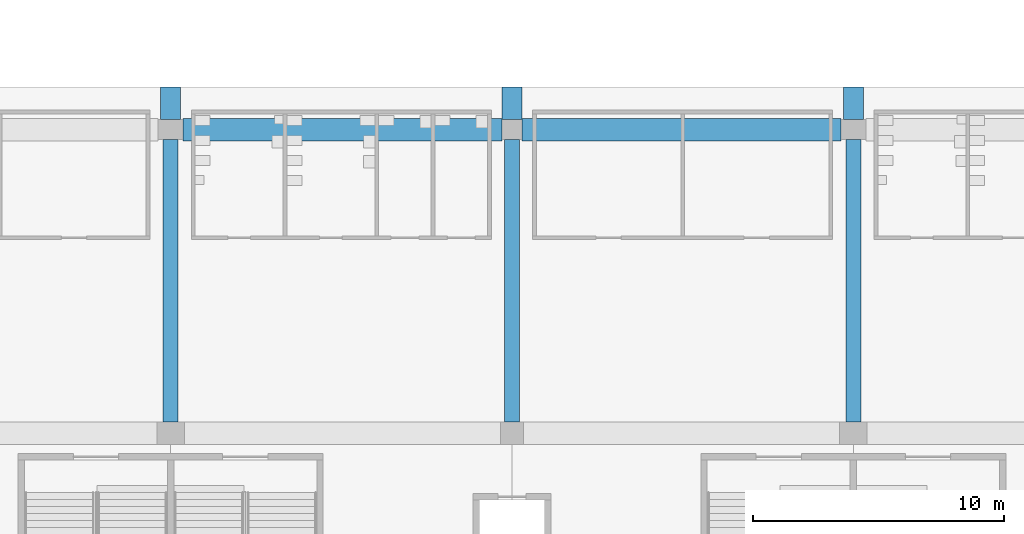
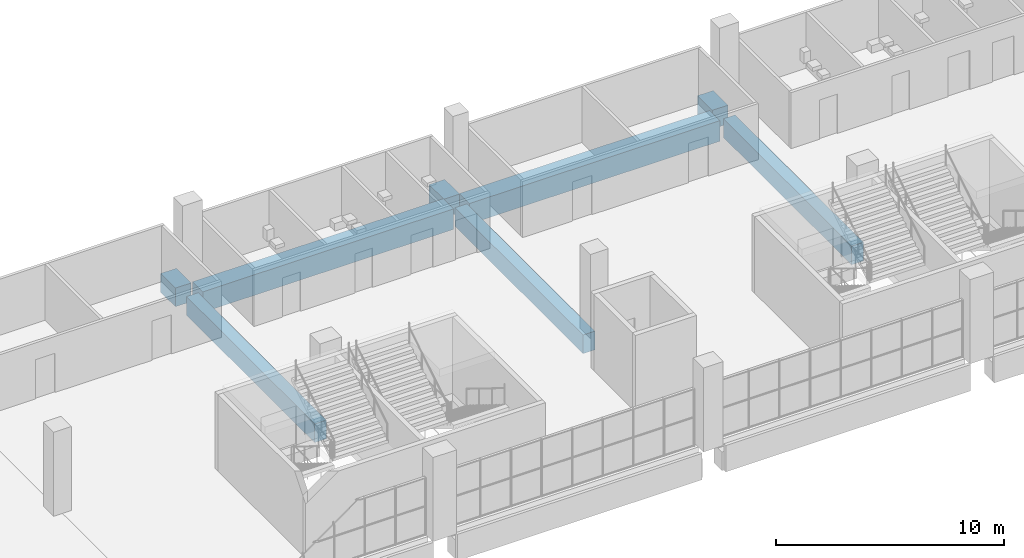
# One storey, part 13 of 199: 8 beams.
"""IFC4 building model written with IfcOpenShell, lengths in metres."""

from ifc_helpers import new_model, si_unit, direction, frame, origin, origin_2d, place, context, subcontext, project, spatial, rectangle, extrude, material, material_profile, profile_set, type_object, element, save


model = new_model("IFC4")

# Units and contexts
model_context = context("Model", 3, precision=1e-05, world=origin(), true_north=direction((0.0, 1.0)))
body_context = subcontext(model_context, "Body", "Model", "MODEL_VIEW")
ifc_project = project(units=[si_unit("LENGTHUNIT", "METRE"), si_unit("AREAUNIT", "SQUARE_METRE"), si_unit("VOLUMEUNIT", "CUBIC_METRE"), si_unit("PLANEANGLEUNIT", "RADIAN"), si_unit("MASSUNIT", "GRAM", prefix="KILO")], contexts=[model_context])

# Site, building, storey
site_placement = place(None, origin())
site = spatial("IfcSite", under=ifc_project, at=site_placement, CompositionType="ELEMENT")
building_placement = place(site_placement, origin())
building = spatial("IfcBuilding", under=site, at=building_placement, Name="Ogive Plaza Stadium", CompositionType="ELEMENT")
storey_placement = place(building_placement, frame((0.0, 0.0, 4.5)))
storey = spatial("IfcBuildingStorey", under=building, at=storey_placement, Name="L01", CompositionType="ELEMENT", Elevation=4.5)

# Beams
ifc_material_1 = material(Name="Concrete C40/50", Category="concrete")
ifc_material_profile_1 = material_profile(ifc_material_1, rectangle(XDim=0.60009765625, YDim=1.0, at=origin_2d()), Name="RC 600x1000")
ifc_profile_set_1 = profile_set([ifc_material_profile_1], Name="Concrete C40/50")
beam_type_1 = type_object("IfcBeamType", Name="RC radial beam 600x1000", PredefinedType="BEAM", material=ifc_profile_set_1)
for number, where, z_axis, x_axis, name in (
    (1, (6.800048828125, -80.800048828125, -0.909912109375), (0.0, -1.0, 0.0), (1.0, 0.0, 0.0), "Radial beam L01 R14 F3F4"),
    (2, (-6.800048828125, -80.800048828125, -0.909912109375), (0.0, -1.0, 0.0), (1.0, 0.0, 0.0), "Radial beam L01 R15 F3F4"),
    (3, (-20.39990234375, -80.800048828125, -0.909912109375), (0.0, -1.0, 0.0), (1.0, 0.0, 0.0), "Radial beam L01 R16 F3F4"),
):
    element("IfcBeam", number, at=place(storey_placement, frame(where, z_axis=z_axis, x_axis=x_axis)), inside=storey, type_object=beam_type_1, Name=name, PredefinedType="BEAM", context=body_context, shape_type="SweptSolid", body=[
        extrude(rectangle(XDim=0.60009765625, YDim=1.0, at=origin_2d()), origin(), (0.0, 0.0, 1.0), 11.25),
    ])
ifc_material_2 = material(Name="Concrete C40/50", Category="concrete")
ifc_material_profile_2 = material_profile(ifc_material_2, rectangle(XDim=0.800048828125, YDim=1.0, at=origin_2d()), Name="RC 800x1000")
ifc_profile_set_2 = profile_set([ifc_material_profile_2], Name="Concrete C40/50")
beam_type_2 = type_object("IfcBeamType", Name="RC radial beam 800x1000", PredefinedType="BEAM", material=ifc_profile_set_2)
for number, where, z_axis, x_axis, name in (
    (4, (6.800048828125, -78.699951171875, -0.909912109375), (0.0, -1.0, 0.0), (1.0, 0.0, 0.0), "Raker tail beam LT R14"),
    (5, (-6.800048828125, -78.699951171875, -0.909912109375), (0.0, -1.0, 0.0), (1.0, 0.0, 0.0), "Raker tail beam LT R15"),
    (6, (-20.39990234375, -78.699951171875, -0.909912109375), (0.0, -1.0, 0.0), (1.0, 0.0, 0.0), "Raker tail beam LT R16"),
):
    element("IfcBeam", number, at=place(storey_placement, frame(where, z_axis=z_axis, x_axis=x_axis)), inside=storey, type_object=beam_type_2, Name=name, PredefinedType="BEAM", context=body_context, shape_type="SweptSolid", body=[
        extrude(rectangle(XDim=0.800048828125, YDim=1.0, at=origin_2d()), origin(), (0.0, 0.0, 1.0), 1.300048828125),
    ])
ifc_material_3 = material(Name="Concrete C40/50", Category="concrete")
ifc_material_profile_3 = material_profile(ifc_material_3, rectangle(XDim=0.89990234375, YDim=1.10009765625, at=origin_2d()), Name="RC 900x1100")
ifc_profile_set_3 = profile_set([ifc_material_profile_3], Name="Concrete C40/50")
beam_type_3 = type_object("IfcBeamType", Name="RC ring beam 900x1100", PredefinedType="BEAM", material=ifc_profile_set_3)
for number, where, z_axis, x_axis, name in (
    (7, (6.300048828125, -80.39990234375, -0.9599609375), (-1.0, 0.0, 0.0), (0.0, -1.0, 0.0), "Ring beam F3 L01 B14"),
    (8, (-7.199951171875, -80.39990234375, -0.9599609375), (-1.0, 0.0, 0.0), (0.0, -1.0, 0.0), "Ring beam F3 L01 B15"),
):
    element("IfcBeam", number, at=place(storey_placement, frame(where, z_axis=z_axis, x_axis=x_axis)), inside=storey, type_object=beam_type_3, Name=name, PredefinedType="BEAM", context=body_context, shape_type="SweptSolid", body=[
        extrude(rectangle(XDim=0.89990234375, YDim=1.10009765625, at=origin_2d()), origin(), (0.0, 0.0, 1.0), 12.699951171875),
    ])

save(model, "model.ifc")
